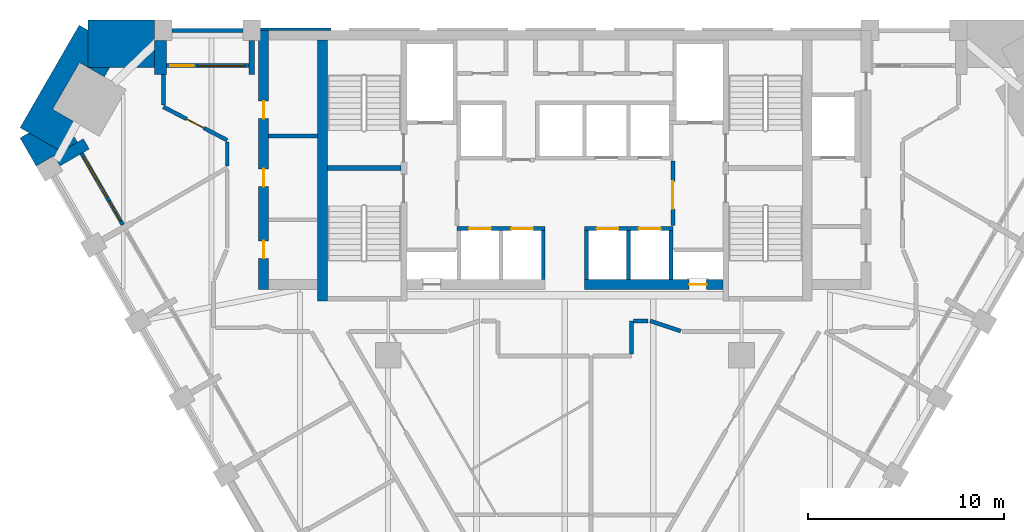
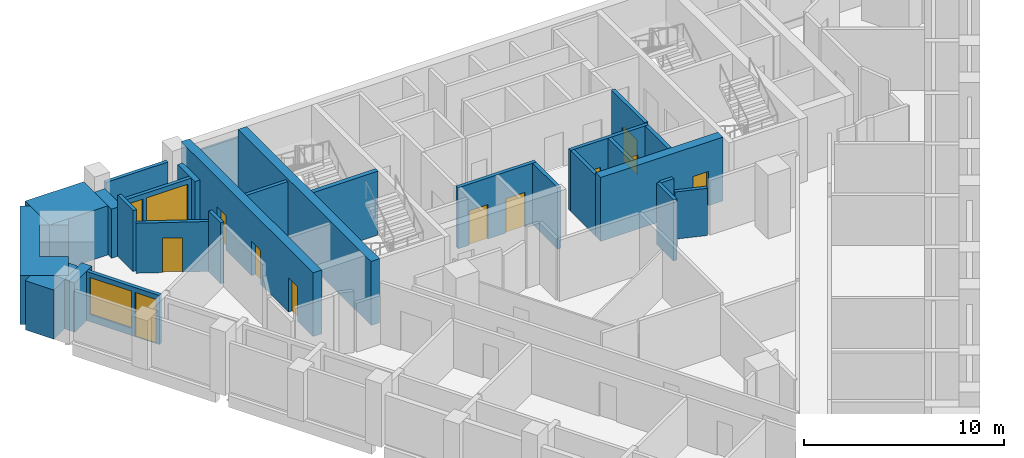
# One storey, part 5 of 10: 29 walls, 12 doors, 2 windows, 14 openings.
"""IFC4 building model written with IfcOpenShell, lengths in metres."""

from ifc_helpers import new_model, si_unit, direction, frame, frame_2d, origin, place, context, subcontext, project, spatial, polyline, rectangle, outline, extrude, material, layer, layer_set, type_object, element, fill, save


model = new_model("IFC4")

# Units and contexts
model_context = context("Model", 3, precision=1e-05, world=origin(), true_north=direction((0.0, 1.0)))
body_context = subcontext(model_context, "Body", "Model", "MODEL_VIEW")
ifc_project = project(units=[si_unit("LENGTHUNIT", "METRE"), si_unit("AREAUNIT", "SQUARE_METRE"), si_unit("VOLUMEUNIT", "CUBIC_METRE"), si_unit("PLANEANGLEUNIT", "RADIAN"), si_unit("MASSUNIT", "GRAM", prefix="KILO")], contexts=[model_context])

# Site, building, storey
site_placement = place(None, origin())
site = spatial("IfcSite", under=ifc_project, at=site_placement, CompositionType="ELEMENT")
building_placement = place(site_placement, origin())
building = spatial("IfcBuilding", under=site, at=building_placement, Name="Calabash Gate Tower", CompositionType="ELEMENT")
storey_placement = place(building_placement, frame((0.0, 0.0, 148.5)))
storey = spatial("IfcBuildingStorey", under=building, at=storey_placement, Name="L34", CompositionType="ELEMENT", Elevation=148.5)

# Walls
ifc_material_1 = material(Name="Terracotta brick masonry, exposed face", Category="masonry")
ifc_layer_1 = layer(ifc_material_1, 2.425048828125)
ifc_layer_set_1 = layer_set([ifc_layer_1], Name="Brick corner mass wall 2425")
wall_type_1 = type_object("IfcWallType", Name="Brick corner mass wall 2425", PredefinedType="SOLIDWALL", material=ifc_layer_set_1)
wall_1_placement = place(storey_placement, origin())
element("IfcWall", 1, at=wall_1_placement, inside=storey, type_object=wall_type_1, Name="Brick corner pier S09 4a", PredefinedType="SOLIDWALL", context=body_context, shape_type="SweptSolid", body=[
    extrude(outline(polyline([(-24.280517578125, 17.152587890625), (-20.90478515625, 17.152587890625), (-20.90478515625, 19.57763671875), (-24.28955078125, 19.57763671875), (-24.28955078125, 17.15771484375), (-24.280517578125, 17.152587890625)])), origin(), (0.0, 0.0, 1.0), 3.0),
])
wall_2_placement = place(storey_placement, origin())
element("IfcWall", 2, at=wall_2_placement, inside=storey, type_object=wall_type_1, Name="Brick corner pier S09 4ba", PredefinedType="SOLIDWALL", context=body_context, shape_type="SweptSolid", body=[
    extrude(outline(polyline([(-24.839599609375, 14.2998046875), (-26.100341796875, 15.02783203125), (-24.725341796875, 17.4091796875), (-24.28955078125, 17.15771484375), (-24.28955078125, 19.052490234375), (-24.744140625, 19.31494140625), (-27.759765625, 14.091552734375), (-25.65966796875, 12.879150390625), (-24.839599609375, 14.2998046875)])), origin(), (0.0, 0.0, 1.0), 3.0),
])
wall_3_placement = place(storey_placement, origin())
element("IfcWall", 3, at=wall_3_placement, inside=storey, type_object=wall_type_1, Name="Brick corner pier S09 4bb", PredefinedType="SOLIDWALL", context=body_context, shape_type="SweptSolid", body=[
    extrude(outline(polyline([(-23.192626953125, 17.152587890625), (-24.280517578125, 17.152587890625), (-23.464599609375, 16.681396484375), (-23.192626953125, 17.152587890625)])), origin(), (0.0, 0.0, 1.0), 3.0),
])
wall_4_placement = place(storey_placement, origin())
element("IfcWall", 4, at=wall_4_placement, inside=storey, type_object=wall_type_1, Name="Brick corner pier S09 4c", PredefinedType="SOLIDWALL", context=body_context, shape_type="SweptSolid", body=[
    extrude(outline(polyline([(-24.83447265625, 13.349853515625), (-25.111328125, 13.8291015625), (-25.65966796875, 12.879150390625), (-27.30517578125, 13.8291015625), (-27.759765625, 13.566650390625), (-26.9345703125, 12.13720703125), (-24.83447265625, 13.349853515625)])), origin(), (0.0, 0.0, 1.0), 3.0),
])
ifc_material_2 = material(Name="Terracotta brick masonry, exposed face", Category="masonry")
ifc_layer_2 = layer(ifc_material_2, 0.300048828125)
ifc_layer_set_2 = layer_set([ifc_layer_2], Name="Brick loggia cheek wall 300")
wall_type_2 = type_object("IfcWallType", Name="Brick loggia cheek wall 300", PredefinedType="SOLIDWALL", material=ifc_layer_set_2)
wall_5_placement = place(storey_placement, frame((-25.875244140625, 12.402587890625, 0.0), z_axis=(0.0, 0.0, 1.0), x_axis=(0.866074815912, 0.499914405916, 0.0)))
element("IfcWall", 5, at=wall_5_placement, inside=storey, type_object=wall_type_2, Name="Loggia cheek S09 SW0.0", PredefinedType="SOLIDWALL", context=body_context, shape_type="SweptSolid", body=[
    extrude(rectangle(XDim=1.724853515625, YDim=0.60009765625, at=frame_2d((0.8623046875, 0.0))), origin(), (0.0, 0.0, 1.0), 3.0),
])
wall_6_placement = place(storey_placement, origin())
element("IfcWall", 6, at=wall_6_placement, inside=storey, type_object=wall_type_2, Name="Loggia cheek S09 N6.8", PredefinedType="SOLIDWALL", context=body_context, shape_type="SweptSolid", body=[
    extrude(outline(polyline([(-15.8046875, 16.802490234375), (-15.8046875, 18.527587890625), (-16.104736328125, 18.527587890625), (-16.104736328125, 16.802490234375), (-15.8046875, 16.802490234375)])), origin(), (0.0, 0.0, 1.0), 3.0),
])
wall_7_placement = place(storey_placement, origin())
element("IfcWall", 7, at=wall_7_placement, inside=storey, type_object=wall_type_2, Name="Loggia cheek S09 N6.9", PredefinedType="SOLIDWALL", context=body_context, shape_type="SweptSolid", body=[
    extrude(outline(polyline([(-20.90478515625, 18.527587890625), (-20.90478515625, 16.802490234375), (-20.3046875, 16.802490234375), (-20.3046875, 18.527587890625), (-20.90478515625, 18.527587890625)])), origin(), (0.0, 0.0, 1.0), 3.0),
])
ifc_material_3 = material(Name="Gypsum board on steel studs, mineral wool", Category="steel")
ifc_layer_3 = layer(ifc_material_3, 0.199951171875)
ifc_layer_set_3 = layer_set([ifc_layer_3], Name="Core partition 200 gypsum board")
wall_type_3 = type_object("IfcWallType", Name="Core partition 200 gypsum board", PredefinedType="PARTITIONING", material=ifc_layer_set_3)
wall_8_placement = place(storey_placement, frame((-15.10009765625, 13.672607421875, 0.0), z_axis=(0.0, 0.0, 1.0), x_axis=(1.0, 0.0, 0.0)))
element("IfcWall", 8, at=wall_8_placement, inside=storey, type_object=wall_type_3, Name="Core partition", PredefinedType="PARTITIONING", context=body_context, shape_type="SweptSolid", body=[
    extrude(rectangle(XDim=2.5, YDim=0.199951171875, at=frame_2d((1.25, 0.0))), origin(), (0.0, 0.0, 1.0), 3.72998046875),
])
ifc_material_4 = material(Name="Concrete C70/85", Category="concrete")
ifc_layer_4 = layer(ifc_material_4, 0.25)
ifc_layer_set_4 = layer_set([ifc_layer_4], Name="Core wall 250 Concrete C70/85")
wall_type_4 = type_object("IfcWallType", Name="Core wall 250 Concrete C70/85", PredefinedType="SHEAR", material=ifc_layer_set_4)
wall_9_placement = place(storey_placement, frame((-12.10009765625, 12.027587890625, 0.0), z_axis=(0.0, 0.0, 1.0), x_axis=(1.0, 0.0, 0.0)))
element("IfcWall", 9, at=wall_9_placement, inside=storey, type_object=wall_type_4, Name="Core wall Z3-MIDW L34", PredefinedType="SHEAR", context=body_context, shape_type="SweptSolid", body=[
    extrude(rectangle(XDim=3.75, YDim=0.25, at=frame_2d((1.875, 0.0))), origin(), (0.0, 0.0, 1.0), 3.89990234375),
])
ifc_material_5 = material(Name="Concrete C70/85", Category="concrete")
ifc_layer_5 = layer(ifc_material_5, 0.5)
ifc_layer_set_5 = layer_set([ifc_layer_5], Name="Core wall 500 Concrete C70/85")
wall_type_5 = type_object("IfcWallType", Name="Core wall 500 Concrete C70/85", PredefinedType="SHEAR", material=ifc_layer_set_5)
wall_10_placement = place(storey_placement, frame((-12.35009765625, 5.252685546875, 0.0), z_axis=(0.0, 0.0, 1.0), x_axis=(0.0, 1.0, 0.0)))
element("IfcWall", 10, at=wall_10_placement, inside=storey, type_object=wall_type_5, Name="Core wall Z3-COLW L34", PredefinedType="SHEAR", context=body_context, shape_type="SweptSolid", body=[
    extrude(rectangle(XDim=13.2998046875, YDim=0.5, at=frame_2d((6.64990234375, 0.0))), origin(), (0.0, 0.0, 1.0), 3.89990234375),
])

# Wall, opening, door
wall_11_placement = place(storey_placement, frame((1.0, 6.1025390625, 0.0), z_axis=(0.0, 0.0, 1.0), x_axis=(1.0, 0.0, 0.0)))
wall_11 = element("IfcWall", 11, at=wall_11_placement, inside=storey, type_object=wall_type_5, Name="Core wall Z3-SB L34", PredefinedType="SHEAR", context=body_context, shape_type="SweptSolid", body=[
    extrude(rectangle(XDim=7.050048828125, YDim=0.5, at=frame_2d((3.52490234375, 0.0))), origin(), (0.0, 0.0, 1.0), 3.89990234375),
])
opening_1_placement = place(wall_11_placement, frame((5.324951171875, 0.0, 0.0)))
opening_1 = element("IfcOpeningElement", 12, at=opening_1_placement, cuts=wall_11, Name="Opening O1-014", PredefinedType="OPENING", context=body_context, shape_type="SweptSolid", body=[
    extrude(rectangle(XDim=0.89990234375, YDim=2.10009765625, at=frame_2d((0.449951171875, 1.050048828125))), frame((0.0, 0.260009765625, 0.0), z_axis=(0.0, -1.0, 0.0), x_axis=(1.0, 0.0, 0.0)), (0.0, 0.0, 1.0), 0.52001953125),
])
ifc_material_6 = material(Name="Steel fire door set with fire-resisting glazing", Category="steel")
door_type_1 = type_object("IfcDoorType", Name="Fire door D07 900x2100 FD90", OperationType="NOTDEFINED", PredefinedType="DOOR", material=ifc_material_6)
door_1_placement = place(opening_1_placement, origin())
door_1 = element("IfcDoor", 13, at=door_1_placement, inside=storey, type_object=door_type_1, Name="Mechanical Riser E door", OperationType="SINGLE_SWING_RIGHT", OverallHeight=2.10009765625, OverallWidth=0.89990234375, PredefinedType="DOOR", context=body_context, shape_type="SweptSolid", body=[
    extrude(rectangle(XDim=0.89990234375, YDim=2.10009765625, at=frame_2d((0.449951171875, 1.050048828125))), frame((0.0, 0.02490234375, 0.0), z_axis=(0.0, -1.0, 0.0), x_axis=(1.0, 0.0, 0.0)), (0.0, 0.0, 1.0), 0.050048828125),
])
fill(opening_1, door_1)

# Wall, openings, doors
wall_12_placement = place(storey_placement, frame((-15.35009765625, 5.8525390625, 0.0), z_axis=(0.0, 0.0, 1.0), x_axis=(0.0, 1.0, 0.0)))
wall_12 = element("IfcWall", 14, at=wall_12_placement, inside=storey, type_object=wall_type_5, Name="Core wall Z3-ENDW L34", PredefinedType="SHEAR", context=body_context, shape_type="SweptSolid", body=[
    extrude(rectangle(XDim=13.199951171875, YDim=0.5, at=frame_2d((6.60009765625, 0.0))), origin(), (0.0, 0.0, 1.0), 3.89990234375),
])
opening_2_placement = place(wall_12_placement, frame((1.574951171875, 0.0, 0.0)))
opening_2 = element("IfcOpeningElement", 15, at=opening_2_placement, cuts=wall_12, Name="Opening O1-004", PredefinedType="OPENING", context=body_context, shape_type="SweptSolid", body=[
    extrude(rectangle(XDim=0.89990234375, YDim=2.10009765625, at=frame_2d((0.449951171875, 1.050048828125))), frame((0.0, 0.260009765625, 0.0), z_axis=(0.0, -1.0, 0.0), x_axis=(1.0, 0.0, 0.0)), (0.0, 0.0, 1.0), 0.52001953125),
])
opening_3_placement = place(wall_12_placement, frame((5.235107421875, 0.0, 0.0)))
opening_3 = element("IfcOpeningElement", 16, at=opening_3_placement, cuts=wall_12, Name="Opening O1-005", PredefinedType="OPENING", context=body_context, shape_type="SweptSolid", body=[
    extrude(rectangle(XDim=0.89990234375, YDim=2.10009765625, at=frame_2d((0.449951171875, 1.050048828125))), frame((0.0, 0.260009765625, 0.0), z_axis=(0.0, -1.0, 0.0), x_axis=(1.0, 0.0, 0.0)), (0.0, 0.0, 1.0), 0.52001953125),
])
opening_4_placement = place(wall_12_placement, frame((8.697509765625, 0.0, 0.0)))
opening_4 = element("IfcOpeningElement", 17, at=opening_4_placement, cuts=wall_12, Name="Opening O1-006", PredefinedType="OPENING", context=body_context, shape_type="SweptSolid", body=[
    extrude(rectangle(XDim=0.89990234375, YDim=2.10009765625, at=frame_2d((0.449951171875, 1.050048828125))), frame((0.0, 0.260009765625, 0.0), z_axis=(0.0, -1.0, 0.0), x_axis=(1.0, 0.0, 0.0)), (0.0, 0.0, 1.0), 0.52001953125),
])
ifc_material_7 = material(Name="Steel fire door set with fire-resisting glazing", Category="steel")
door_type_2 = type_object("IfcDoorType", Name="Fire door D06 900x2100 FD60", OperationType="NOTDEFINED", PredefinedType="DOOR", material=ifc_material_7)
door_2_placement = place(opening_2_placement, origin())
door_2 = element("IfcDoor", 18, at=door_2_placement, inside=storey, type_object=door_type_2, Name="Men's WC door", OperationType="SINGLE_SWING_LEFT", OverallHeight=2.10009765625, OverallWidth=0.89990234375, PredefinedType="DOOR", context=body_context, shape_type="SweptSolid", body=[
    extrude(rectangle(XDim=0.89990234375, YDim=2.10009765625, at=frame_2d((0.449951171875, 1.050048828125))), frame((0.0, 0.02490234375, 0.0), z_axis=(0.0, -1.0, 0.0), x_axis=(1.0, 0.0, 0.0)), (0.0, 0.0, 1.0), 0.050048828125),
])
fill(opening_2, door_2)
door_3_placement = place(opening_3_placement, origin())
door_3 = element("IfcDoor", 19, at=door_3_placement, inside=storey, type_object=door_type_2, Name="Women's WC door", OperationType="SINGLE_SWING_LEFT", OverallHeight=2.10009765625, OverallWidth=0.89990234375, PredefinedType="DOOR", context=body_context, shape_type="SweptSolid", body=[
    extrude(rectangle(XDim=0.89990234375, YDim=2.10009765625, at=frame_2d((0.449951171875, 1.050048828125))), frame((0.0, 0.02490234375, 0.0), z_axis=(0.0, -1.0, 0.0), x_axis=(1.0, 0.0, 0.0)), (0.0, 0.0, 1.0), 0.050048828125),
])
fill(opening_3, door_3)
door_4_placement = place(opening_4_placement, origin())
door_4 = element("IfcDoor", 20, at=door_4_placement, inside=storey, type_object=door_type_2, Name="Tenant Pantry door", OperationType="SINGLE_SWING_LEFT", OverallHeight=2.10009765625, OverallWidth=0.89990234375, PredefinedType="DOOR", context=body_context, shape_type="SweptSolid", body=[
    extrude(rectangle(XDim=0.89990234375, YDim=2.10009765625, at=frame_2d((0.449951171875, 1.050048828125))), frame((0.0, 0.02490234375, 0.0), z_axis=(0.0, -1.0, 0.0), x_axis=(1.0, 0.0, 0.0)), (0.0, 0.0, 1.0), 0.050048828125),
])
fill(opening_4, door_4)

# Walls
ifc_material_8 = material(Name="Gypsum board on steel studs, mineral wool", Category="steel")
ifc_layer_6 = layer(ifc_material_8, 0.199951171875)
ifc_layer_set_6 = layer_set([ifc_layer_6], Name="Partition 200 gypsum board EI 60")
wall_type_6 = type_object("IfcWallType", Name="Partition 200 gypsum board EI 60", PredefinedType="PARTITIONING", material=ifc_layer_set_6)
wall_13_placement = place(storey_placement, frame((4.34228515625, 4.25244140625, 0.0), z_axis=(0.0, 0.0, 1.0), x_axis=(0.948668476379, -0.316272227557, 0.0)))
element("IfcWall", 21, at=wall_13_placement, inside=storey, type_object=wall_type_6, Name="Partition", PredefinedType="PARTITIONING", context=body_context, shape_type="SweptSolid", body=[
    extrude(rectangle(XDim=1.647216796875, YDim=0.199951171875, at=frame_2d((0.82373046875, 0.0))), origin(), (0.0, 0.0, 1.0), 2.884033203125),
])
wall_14_placement = place(storey_placement, frame((3.400146484375, 2.552490234375, 0.0), z_axis=(0.0, 0.0, 1.0), x_axis=(0.001150250857, 0.999999338461, 0.0)))
element("IfcWall", 22, at=wall_14_placement, inside=storey, type_object=wall_type_6, Name="Partition", PredefinedType="PARTITIONING", context=body_context, shape_type="SweptSolid", body=[
    extrude(rectangle(XDim=1.697998046875, YDim=0.199951171875, at=frame_2d((0.84912109375, 0.0))), origin(), (0.0, 0.0, 1.0), 3.72998046875),
])
wall_15_placement = place(storey_placement, frame((3.501953125, 4.250732421875, 0.0), z_axis=(0.0, 0.0, 1.0), x_axis=(0.999998041999, 0.001978887946, 0.0)))
element("IfcWall", 23, at=wall_15_placement, inside=storey, type_object=wall_type_6, Name="Partition", PredefinedType="PARTITIONING", context=body_context, shape_type="SweptSolid", body=[
    extrude(rectangle(XDim=0.740234375, YDim=0.199951171875, at=frame_2d((0.3701171875, 0.0))), origin(), (0.0, 0.0, 1.0), 3.72998046875),
])
wall_16_placement = place(storey_placement, frame((-17.201904296875, 12.140869140625, 0.0), z_axis=(0.0, 0.0, 1.0), x_axis=(0.001007657691, 0.999999492313, 0.0)))
element("IfcWall", 24, at=wall_16_placement, inside=storey, type_object=wall_type_6, Name="Partition", PredefinedType="PARTITIONING", context=body_context, shape_type="SweptSolid", body=[
    extrude(rectangle(XDim=1.21142578125, YDim=0.199951171875, at=frame_2d((0.605712890625, 0.0))), origin(), (0.0, 0.0, 1.0), 3.72998046875),
])

# Wall, opening, door
wall_17_placement = place(storey_placement, frame((-20.455078125, 15.15234375, 0.0), z_axis=(0.0, 0.0, 1.0), x_axis=(0.886374912087, -0.462968157892, 0.0)))
wall_17 = element("IfcWall", 25, at=wall_17_placement, inside=storey, type_object=wall_type_6, Name="Partition", PredefinedType="PARTITIONING", context=body_context, shape_type="SweptSolid", body=[
    extrude(rectangle(XDim=3.671875, YDim=0.199951171875, at=frame_2d((1.8359375, 0.0))), origin(), (0.0, 0.0, 1.0), 3.052001953125),
])
opening_5_placement = place(wall_17_placement, frame((1.3359375, 0.0, 0.0)))
opening_5 = element("IfcOpeningElement", 26, at=opening_5_placement, cuts=wall_17, Name="Opening 33-35-013", PredefinedType="OPENING", context=body_context, shape_type="SweptSolid", body=[
    extrude(rectangle(XDim=1.0, YDim=2.10009765625, at=frame_2d((0.5, 1.050048828125))), frame((0.0, 0.10986328125, 0.0), z_axis=(0.0, -1.0, 0.0), x_axis=(1.0, 0.0, 0.0)), (0.0, 0.0, 1.0), 0.219970703125),
])
ifc_material_9 = material(Name="Steel fire door set with fire-resisting glazing", Category="steel")
door_type_3 = type_object("IfcDoorType", Name="LD2 Meeting room door 1000x2100", OperationType="NOTDEFINED", PredefinedType="DOOR", material=ifc_material_9)
door_5_placement = place(opening_5_placement, origin())
door_5 = element("IfcDoor", 27, at=door_5_placement, inside=storey, type_object=door_type_3, Name="Meeting room door", OperationType="SINGLE_SWING_RIGHT", OverallHeight=2.10009765625, OverallWidth=1.0, PredefinedType="DOOR", context=body_context, shape_type="SweptSolid", body=[
    extrude(rectangle(XDim=1.0, YDim=2.10009765625, at=frame_2d((0.5, 1.050048828125))), frame((0.0, 0.02490234375, 0.0), z_axis=(0.0, -1.0, 0.0), x_axis=(1.0, 0.0, 0.0)), (0.0, 0.0, 1.0), 0.050048828125),
])
fill(opening_5, door_5)

# Walls
wall_18_placement = place(storey_placement, frame((-20.455078125, 16.802490234375, 0.0), z_axis=(0.0, 0.0, 1.0), x_axis=(0.0, -1.0, 0.0)))
element("IfcWall", 28, at=wall_18_placement, inside=storey, type_object=wall_type_6, Name="Partition", PredefinedType="PARTITIONING", context=body_context, shape_type="SweptSolid", body=[
    extrude(rectangle(XDim=1.55029296875, YDim=0.199951171875, at=frame_2d((0.775146484375, 0.0))), origin(), (0.0, 0.0, 1.0), 3.72998046875),
])
ifc_material_10 = material(Name="Concrete C40/50", Category="concrete")
ifc_layer_7 = layer(ifc_material_10, 0.199951171875)
ifc_layer_set_7 = layer_set([ifc_layer_7], Name="Shaft wall 200 Concrete C40/50")
wall_type_7 = type_object("IfcWallType", Name="Shaft wall 200 Concrete C40/50", PredefinedType="SOLIDWALL", material=ifc_layer_set_7)
for number, where, z_axis, x_axis, name in (
    (29, (-1.10009765625, 6.3525390625, 0.0), (0.0, 0.0, 1.0), (0.0, 1.0, 0.0), "Shaft wall"),
    (30, (1.10009765625, 6.3525390625, 0.0), (0.0, 0.0, 1.0), (0.0, 1.0, 0.0), "Shaft wall"),
    (31, (3.25, 6.3525390625, 0.0), (0.0, 0.0, 1.0), (0.0, 1.0, 0.0), "Shaft wall"),
    (32, (5.39990234375, 6.3525390625, 0.0), (0.0, 0.0, 1.0), (0.0, 1.0, 0.0), "Shaft wall"),
):
    element("IfcWall", number, at=place(storey_placement, frame(where, z_axis=z_axis, x_axis=x_axis)), inside=storey, type_object=wall_type_7, Name=name, PredefinedType="SOLIDWALL", context=body_context, shape_type="SweptSolid", body=[
        extrude(rectangle(XDim=2.5, YDim=0.199951171875, at=frame_2d((1.25, 0.0))), origin(), (0.0, 0.0, 1.0), 3.72998046875),
    ])

# Wall, openings, doors
wall_19_placement = place(storey_placement, frame((-5.5, 8.95263671875, 0.0), z_axis=(0.0, 0.0, 1.0), x_axis=(1.0, 0.0, 0.0)))
wall_19 = element("IfcWall", 33, at=wall_19_placement, inside=storey, type_object=wall_type_7, Name="Shaft wall", PredefinedType="SOLIDWALL", context=body_context, shape_type="SweptSolid", body=[
    extrude(rectangle(XDim=4.5, YDim=0.199951171875, at=frame_2d((2.25, 0.0))), origin(), (0.0, 0.0, 1.0), 3.72998046875),
])
opening_6_placement = place(wall_19_placement, frame((0.625, 0.0, 0.0)))
opening_6 = element("IfcOpeningElement", 34, at=opening_6_placement, cuts=wall_19, Name="Opening LD-HR1", PredefinedType="OPENING", context=body_context, shape_type="SweptSolid", body=[
    extrude(rectangle(XDim=1.10009765625, YDim=2.10009765625, at=frame_2d((0.550048828125, 1.050048828125))), frame((0.0, 0.10986328125, 0.0), z_axis=(0.0, -1.0, 0.0), x_axis=(1.0, 0.0, 0.0)), (0.0, 0.0, 1.0), 0.219970703125),
])
opening_7_placement = place(wall_19_placement, frame((2.77490234375, 0.0, 0.0)))
opening_7 = element("IfcOpeningElement", 35, at=opening_7_placement, cuts=wall_19, Name="Opening LD-HR2", PredefinedType="OPENING", context=body_context, shape_type="SweptSolid", body=[
    extrude(rectangle(XDim=1.10009765625, YDim=2.10009765625, at=frame_2d((0.550048828125, 1.050048828125))), frame((0.0, 0.10986328125, 0.0), z_axis=(0.0, -1.0, 0.0), x_axis=(1.0, 0.0, 0.0)), (0.0, 0.0, 1.0), 0.219970703125),
])
ifc_material_11 = material(Name="Stainless steel sliding door leaves", Category="steel")
door_type_4 = type_object("IfcDoorType", Name="Lift landing door LS1 1100x2100 FD90", OperationType="DOUBLE_DOOR_SLIDING", PredefinedType="DOOR", material=ifc_material_11)
door_6_placement = place(opening_6_placement, origin())
door_6 = element("IfcDoor", 36, at=door_6_placement, inside=storey, type_object=door_type_4, Name="Lift landing door HR1", OperationType="DOUBLE_DOOR_SLIDING", OverallHeight=2.10009765625, OverallWidth=1.10009765625, PredefinedType="DOOR", context=body_context, shape_type="SweptSolid", body=[
    extrude(rectangle(XDim=1.10009765625, YDim=2.10009765625, at=frame_2d((0.550048828125, 1.050048828125))), frame((0.0, 0.02490234375, 0.0), z_axis=(0.0, -1.0, 0.0), x_axis=(1.0, 0.0, 0.0)), (0.0, 0.0, 1.0), 0.050048828125),
])
fill(opening_6, door_6)
door_7_placement = place(opening_7_placement, origin())
door_7 = element("IfcDoor", 37, at=door_7_placement, inside=storey, type_object=door_type_4, Name="Lift landing door HR2", OperationType="DOUBLE_DOOR_SLIDING", OverallHeight=2.10009765625, OverallWidth=1.10009765625, PredefinedType="DOOR", context=body_context, shape_type="SweptSolid", body=[
    extrude(rectangle(XDim=1.10009765625, YDim=2.10009765625, at=frame_2d((0.550048828125, 1.050048828125))), frame((0.0, 0.02490234375, 0.0), z_axis=(0.0, -1.0, 0.0), x_axis=(1.0, 0.0, 0.0)), (0.0, 0.0, 1.0), 0.050048828125),
])
fill(opening_7, door_7)

wall_20_placement = place(storey_placement, frame((1.0, 8.95263671875, 0.0), z_axis=(0.0, 0.0, 1.0), x_axis=(1.0, 0.0, 0.0)))
wall_20 = element("IfcWall", 38, at=wall_20_placement, inside=storey, type_object=wall_type_7, Name="Shaft wall", PredefinedType="SOLIDWALL", context=body_context, shape_type="SweptSolid", body=[
    extrude(rectangle(XDim=4.5, YDim=0.199951171875, at=frame_2d((2.25, 0.0))), origin(), (0.0, 0.0, 1.0), 3.72998046875),
])
opening_8_placement = place(wall_20_placement, frame((0.625, 0.0, 0.0)))
opening_8 = element("IfcOpeningElement", 39, at=opening_8_placement, cuts=wall_20, Name="Opening LD-HR3", PredefinedType="OPENING", context=body_context, shape_type="SweptSolid", body=[
    extrude(rectangle(XDim=1.10009765625, YDim=2.10009765625, at=frame_2d((0.550048828125, 1.050048828125))), frame((0.0, 0.10986328125, 0.0), z_axis=(0.0, -1.0, 0.0), x_axis=(1.0, 0.0, 0.0)), (0.0, 0.0, 1.0), 0.219970703125),
])
opening_9_placement = place(wall_20_placement, frame((2.77490234375, 0.0, 0.0)))
opening_9 = element("IfcOpeningElement", 40, at=opening_9_placement, cuts=wall_20, Name="Opening LD-HR4", PredefinedType="OPENING", context=body_context, shape_type="SweptSolid", body=[
    extrude(rectangle(XDim=1.10009765625, YDim=2.10009765625, at=frame_2d((0.550048828125, 1.050048828125))), frame((0.0, 0.10986328125, 0.0), z_axis=(0.0, -1.0, 0.0), x_axis=(1.0, 0.0, 0.0)), (0.0, 0.0, 1.0), 0.219970703125),
])
door_8_placement = place(opening_8_placement, origin())
door_8 = element("IfcDoor", 41, at=door_8_placement, inside=storey, type_object=door_type_4, Name="Lift landing door HR3", OperationType="DOUBLE_DOOR_SLIDING", OverallHeight=2.10009765625, OverallWidth=1.10009765625, PredefinedType="DOOR", context=body_context, shape_type="SweptSolid", body=[
    extrude(rectangle(XDim=1.10009765625, YDim=2.10009765625, at=frame_2d((0.550048828125, 1.050048828125))), frame((0.0, 0.02490234375, 0.0), z_axis=(0.0, -1.0, 0.0), x_axis=(1.0, 0.0, 0.0)), (0.0, 0.0, 1.0), 0.050048828125),
])
fill(opening_8, door_8)
door_9_placement = place(opening_9_placement, origin())
door_9 = element("IfcDoor", 42, at=door_9_placement, inside=storey, type_object=door_type_4, Name="Lift landing door HR4", OperationType="DOUBLE_DOOR_SLIDING", OverallHeight=2.10009765625, OverallWidth=1.10009765625, PredefinedType="DOOR", context=body_context, shape_type="SweptSolid", body=[
    extrude(rectangle(XDim=1.10009765625, YDim=2.10009765625, at=frame_2d((0.550048828125, 1.050048828125))), frame((0.0, 0.02490234375, 0.0), z_axis=(0.0, -1.0, 0.0), x_axis=(1.0, 0.0, 0.0)), (0.0, 0.0, 1.0), 0.050048828125),
])
fill(opening_9, door_9)

# Wall, opening, door
wall_21_placement = place(storey_placement, frame((5.5, 9.1025390625, 0.0), z_axis=(0.0, 0.0, 1.0), x_axis=(0.0, 1.0, 0.0)))
wall_21 = element("IfcWall", 43, at=wall_21_placement, inside=storey, type_object=wall_type_7, Name="Shaft wall", PredefinedType="SOLIDWALL", context=body_context, shape_type="SweptSolid", body=[
    extrude(rectangle(XDim=3.300048828125, YDim=0.199951171875, at=frame_2d((1.64990234375, 0.0))), origin(), (0.0, 0.0, 1.0), 3.72998046875),
])
opening_10_placement = place(wall_21_placement, frame((0.85009765625, 0.0, 0.0)))
opening_10 = element("IfcOpeningElement", 44, at=opening_10_placement, cuts=wall_21, Name="Opening O1-008", PredefinedType="OPENING", context=body_context, shape_type="SweptSolid", body=[
    extrude(rectangle(XDim=1.39990234375, YDim=2.10009765625, at=frame_2d((0.699951171875, 1.050048828125))), frame((0.0, 0.10986328125, 0.0), z_axis=(0.0, -1.0, 0.0), x_axis=(1.0, 0.0, 0.0)), (0.0, 0.0, 1.0), 0.219970703125),
])
ifc_material_12 = material(Name="Steel fire door set with fire-resisting glazing", Category="steel")
door_type_5 = type_object("IfcDoorType", Name="Fire door D05 1400x2100 FD90", OperationType="NOTDEFINED", PredefinedType="DOOR", material=ifc_material_12)
door_10_placement = place(opening_10_placement, origin())
door_10 = element("IfcDoor", 45, at=door_10_placement, inside=storey, type_object=door_type_5, Name="Firefighting Lobby E door", OperationType="SINGLE_SWING_LEFT", OverallHeight=2.10009765625, OverallWidth=1.39990234375, PredefinedType="DOOR", context=body_context, shape_type="SweptSolid", body=[
    extrude(rectangle(XDim=1.39990234375, YDim=2.10009765625, at=frame_2d((0.699951171875, 1.050048828125))), frame((0.0, 0.02490234375, 0.0), z_axis=(0.0, -1.0, 0.0), x_axis=(1.0, 0.0, 0.0)), (0.0, 0.0, 1.0), 0.050048828125),
])
fill(opening_10, door_10)

# Walls
ifc_material_13 = material(Name="Terracotta brick masonry, perforated", Category="masonry")
ifc_layer_8 = layer(ifc_material_13, 0.199951171875)
ifc_layer_set_8 = layer_set([ifc_layer_8], Name="Terracotta jaali screen A")
wall_type_8 = type_object("IfcWallType", Name="Terracotta jaali screen A", PredefinedType="SOLIDWALL", material=ifc_layer_set_8)
wall_22_placement = place(storey_placement, origin())
element("IfcWall", 46, at=wall_22_placement, inside=storey, type_object=wall_type_8, Name="SCREEN A S09 N6.9", PredefinedType="SOLIDWALL", context=body_context, shape_type="SweptSolid", body=[
    extrude(outline(polyline([(-16.40478515625, 19.152587890625), (-20.0029296875, 19.152587890625), (-20.0029296875, 18.95263671875), (-16.40478515625, 18.95263671875), (-16.40478515625, 19.152587890625)])), origin(), (0.0, 0.0, 1.0), 3.0),
])
ifc_material_14 = material(Name="Terracotta louvre blades in an aluminium frame", Category="masonry")
ifc_layer_9 = layer(ifc_material_14, 0.1201171875)
ifc_layer_set_9 = layer_set([ifc_layer_9], Name="Terracotta vent louvre cladding 120")
wall_type_9 = type_object("IfcWallType", Name="Terracotta vent louvre cladding 120", PredefinedType="ELEMENTEDWALL", material=ifc_layer_set_9)
wall_23_placement = place(storey_placement, origin())
element("IfcWall", 47, at=wall_23_placement, inside=storey, type_object=wall_type_9, Name="Vent louvre cladding S09 N6.8", PredefinedType="ELEMENTEDWALL", context=body_context, shape_type="SweptSolid", body=[
    extrude(outline(polyline([(-11.90478515625, 19.052490234375), (-11.90478515625, 19.172607421875), (-15.5029296875, 19.172607421875), (-15.5029296875, 19.052490234375), (-11.90478515625, 19.052490234375)])), origin(), (0.0, 0.0, 1.0), 3.0),
])

# Wall, openings, door, window
ifc_material_15 = material(Name="Aluminium framed window wall with insulated spandrel", Category="aluminium")
ifc_layer_10 = layer(ifc_material_15, 0.199951171875)
ifc_layer_set_10 = layer_set([ifc_layer_10], Name="Window wall 200")
wall_type_10 = type_object("IfcWallType", Name="Window wall 200", PredefinedType="ELEMENTEDWALL", material=ifc_layer_set_10)
wall_24_placement = place(storey_placement, frame((-24.62109375, 12.7802734375, 0.0), z_axis=(0.0, 0.0, 1.0), x_axis=(0.499958946799, -0.866049104564, 0.0)))
wall_24 = element("IfcWall", 48, at=wall_24_placement, inside=storey, type_object=wall_type_10, Name="Window wall S09 SW0.1", PredefinedType="ELEMENTEDWALL", context=body_context, shape_type="SweptSolid", body=[
    extrude(rectangle(XDim=4.199951171875, YDim=0.199951171875, at=frame_2d((2.10009765625, 0.0))), origin(), (0.0, 0.0, 1.0), 3.0),
])
opening_11_placement = place(wall_24_placement, frame((0.199951171875, 0.0, 0.449951171875)))
opening_11 = element("IfcOpeningElement", 49, at=opening_11_placement, cuts=wall_24, Name="Opening OW1", PredefinedType="OPENING", context=body_context, shape_type="SweptSolid", body=[
    extrude(rectangle(XDim=2.39990234375, YDim=2.25, at=frame_2d((1.199951171875, 1.125))), frame((0.0, 0.10986328125, 0.0), z_axis=(0.0, -1.0, 0.0), x_axis=(1.0, 0.0, 0.0)), (0.0, 0.0, 1.0), 0.219970703125),
])
opening_12_placement = place(wall_24_placement, frame((2.800048828125, 0.0, 0.0)))
opening_12 = element("IfcOpeningElement", 50, at=opening_12_placement, cuts=wall_24, Name="Opening O1-024", PredefinedType="OPENING", context=body_context, shape_type="SweptSolid", body=[
    extrude(rectangle(XDim=1.199951171875, YDim=2.699951171875, at=frame_2d((0.60009765625, 1.35009765625))), frame((0.0, 0.10986328125, 0.0), z_axis=(0.0, -1.0, 0.0), x_axis=(1.0, 0.0, 0.0)), (0.0, 0.0, 1.0), 0.219970703125),
])
ifc_material_16 = material(Name="Anodised aluminium frame, bronze finish, impact-rated laminated clear glazing", Category="aluminium")
door_type_6 = type_object("IfcDoorType", Name="Loggia door DO1 1200x2700", OperationType="SLIDING_TO_LEFT", PredefinedType="DOOR", material=ifc_material_16)
door_11_placement = place(opening_12_placement, origin())
door_11 = element("IfcDoor", 51, at=door_11_placement, inside=storey, type_object=door_type_6, Name="Loggia door S09 SW0.1", OperationType="SINGLE_SWING_LEFT", OverallHeight=2.699951171875, OverallWidth=1.199951171875, PredefinedType="DOOR", context=body_context, shape_type="SweptSolid", body=[
    extrude(rectangle(XDim=1.199951171875, YDim=2.699951171875, at=frame_2d((0.60009765625, 1.35009765625))), frame((0.0, 0.02490234375, 0.0), z_axis=(0.0, -1.0, 0.0), x_axis=(1.0, 0.0, 0.0)), (0.0, 0.0, 1.0), 0.050048828125),
])
fill(opening_12, door_11)
ifc_material_17 = material(Name="Anodised aluminium frame, bronze finish, impact-rated laminated clear glazing", Category="aluminium")
window_type = type_object("IfcWindowType", Name="Window OW1 2400x2250", PartitioningType="DOUBLE_PANEL_VERTICAL", PredefinedType="WINDOW", material=ifc_material_17)
window_1_placement = place(opening_11_placement, origin())
window_1 = element("IfcWindow", 52, at=window_1_placement, inside=storey, type_object=window_type, Name="Window OW1 S09 SW0.1", OverallHeight=2.25, OverallWidth=2.39990234375, PartitioningType="SINGLE_PANEL", PredefinedType="WINDOW", context=body_context, shape_type="SweptSolid", body=[
    extrude(rectangle(XDim=2.39990234375, YDim=2.25, at=frame_2d((1.199951171875, 1.125))), frame((0.0, 0.030029296875, 0.0), z_axis=(0.0, -1.0, 0.0), x_axis=(1.0, 0.0, 0.0)), (0.0, 0.0, 1.0), 0.06005859375),
])
fill(opening_11, window_1)

wall_25_placement = place(storey_placement, frame((-16.104736328125, 17.25244140625, 0.0), z_axis=(0.0, 0.0, 1.0), x_axis=(-1.0, 0.0, 0.0)))
wall_25 = element("IfcWall", 53, at=wall_25_placement, inside=storey, type_object=wall_type_10, Name="Window wall S09 N6.9", PredefinedType="ELEMENTEDWALL", context=body_context, shape_type="SweptSolid", body=[
    extrude(rectangle(XDim=4.199951171875, YDim=0.199951171875, at=frame_2d((2.10009765625, 0.0))), origin(), (0.0, 0.0, 1.0), 3.0),
])
opening_13_placement = place(wall_25_placement, frame((0.199951171875, 0.0, 0.449951171875)))
opening_13 = element("IfcOpeningElement", 54, at=opening_13_placement, cuts=wall_25, Name="Opening OW1", PredefinedType="OPENING", context=body_context, shape_type="SweptSolid", body=[
    extrude(rectangle(XDim=2.39990234375, YDim=2.25, at=frame_2d((1.199951171875, 1.125))), frame((0.0, 0.10986328125, 0.0), z_axis=(0.0, -1.0, 0.0), x_axis=(1.0, 0.0, 0.0)), (0.0, 0.0, 1.0), 0.219970703125),
])
opening_14_placement = place(wall_25_placement, frame((2.800048828125, 0.0, 0.0)))
opening_14 = element("IfcOpeningElement", 55, at=opening_14_placement, cuts=wall_25, Name="Opening O1-021", PredefinedType="OPENING", context=body_context, shape_type="SweptSolid", body=[
    extrude(rectangle(XDim=1.199951171875, YDim=2.699951171875, at=frame_2d((0.60009765625, 1.35009765625))), frame((0.0, 0.10986328125, 0.0), z_axis=(0.0, -1.0, 0.0), x_axis=(1.0, 0.0, 0.0)), (0.0, 0.0, 1.0), 0.219970703125),
])
door_12_placement = place(opening_14_placement, origin())
door_12 = element("IfcDoor", 56, at=door_12_placement, inside=storey, type_object=door_type_6, Name="Loggia door S09 N6.9", OperationType="SINGLE_SWING_LEFT", OverallHeight=2.699951171875, OverallWidth=1.199951171875, PredefinedType="DOOR", context=body_context, shape_type="SweptSolid", body=[
    extrude(rectangle(XDim=1.199951171875, YDim=2.699951171875, at=frame_2d((0.60009765625, 1.35009765625))), frame((0.0, 0.02490234375, 0.0), z_axis=(0.0, -1.0, 0.0), x_axis=(1.0, 0.0, 0.0)), (0.0, 0.0, 1.0), 0.050048828125),
])
fill(opening_14, door_12)
window_2_placement = place(opening_13_placement, origin())
window_2 = element("IfcWindow", 57, at=window_2_placement, inside=storey, type_object=window_type, Name="Window OW1 S09 N6.9", OverallHeight=2.25, OverallWidth=2.39990234375, PartitioningType="SINGLE_PANEL", PredefinedType="WINDOW", context=body_context, shape_type="SweptSolid", body=[
    extrude(rectangle(XDim=2.39990234375, YDim=2.25, at=frame_2d((1.199951171875, 1.125))), frame((0.0, 0.030029296875, 0.0), z_axis=(0.0, -1.0, 0.0), x_axis=(1.0, 0.0, 0.0)), (0.0, 0.0, 1.0), 0.06005859375),
])
fill(opening_13, window_2)

save(model, "model.ifc")
